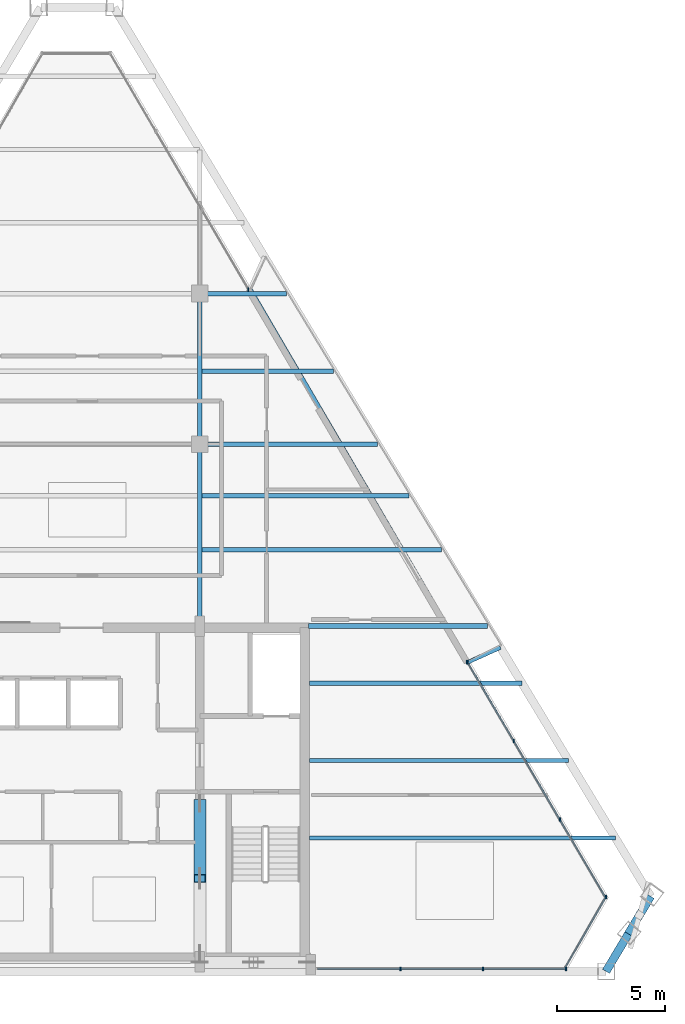
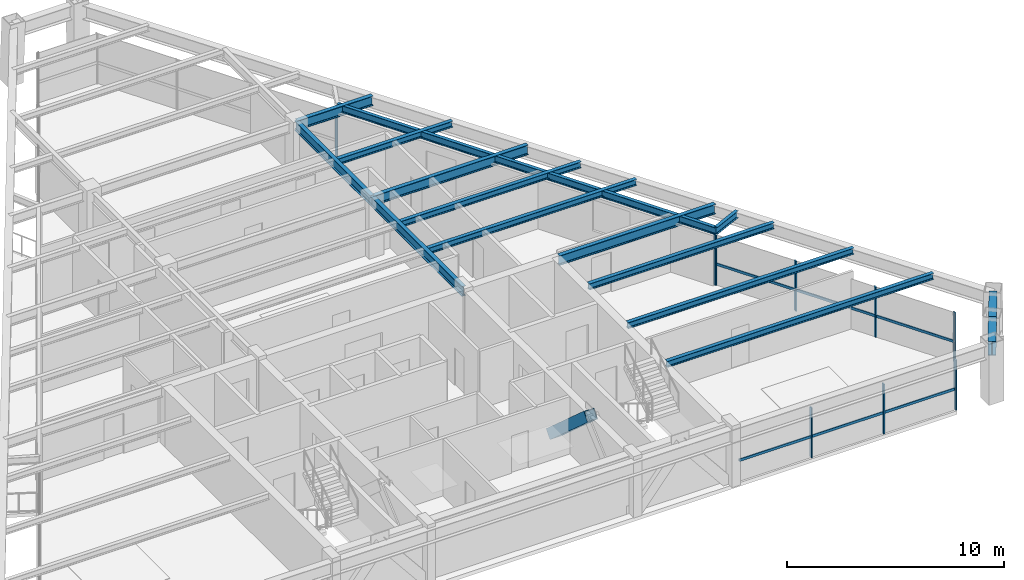
# One storey, part 5 of 13: 17 members, 15 beams, 4 elements without a shape of their own.
"""IFC4 building model written with IfcOpenShell, lengths in metres."""

from ifc_helpers import new_model, si_unit, direction, frame, origin, origin_2d, place, context, subcontext, project, spatial, rectangle, hollow_rectangle, i_section, extrude, source, transform, mapped, material, material_profile, profile_set, type_object, type_shapes, element, aggregate, save


model = new_model("IFC4")

# Units and contexts
model_context = context("Model", 3, precision=1e-05, world=origin(), true_north=direction((0.0, 1.0)))
body_context = subcontext(model_context, "Body", "Model", "MODEL_VIEW")
ifc_project = project(units=[si_unit("LENGTHUNIT", "METRE"), si_unit("AREAUNIT", "SQUARE_METRE"), si_unit("VOLUMEUNIT", "CUBIC_METRE"), si_unit("PLANEANGLEUNIT", "RADIAN"), si_unit("MASSUNIT", "GRAM", prefix="KILO")], contexts=[model_context])

# Site, building, storey
site_placement = place(None, origin())
site = spatial("IfcSite", under=ifc_project, at=site_placement, CompositionType="ELEMENT")
building_placement = place(site_placement, origin())
building = spatial("IfcBuilding", under=site, at=building_placement, Name="Varnakhor Terracotta Tower", CompositionType="ELEMENT")
storey_placement = place(building_placement, frame((0.0, 0.0, 283.35009765625)))
storey = spatial("IfcBuildingStorey", under=building, at=storey_placement, Name="L74", CompositionType="ELEMENT", Elevation=283.35009765625)

# Beams
ifc_material_1 = material(Name="Steel S355", Category="steel")
ifc_material_profile_1 = material_profile(ifc_material_1, i_section(OverallWidth=0.214111328125, OverallDepth=0.549072265625, WebThickness=0.014892578125, FlangeThickness=0.02392578125, FilletRadius=0.01806640625, at=origin_2d()), Name="W21X93")
ifc_profile_set_1 = profile_set([ifc_material_profile_1], Name="Steel S355")
beam_type_1 = type_object("IfcBeamType", Name="BM-W21X93", PredefinedType="BEAM", material=ifc_profile_set_1)
shared_shape_1 = source(origin(), body_context, "Body", "SweptSolid", [
    extrude(i_section(OverallWidth=0.214111328125, OverallDepth=0.549072265625, WebThickness=0.014892578125, FlangeThickness=0.02392578125, FilletRadius=0.01806640625, at=origin_2d()), origin(), (0.0, 0.0, 1.0), 8.449951171875),
])
type_shapes(beam_type_1, [shared_shape_1])
beam_1_placement = place(storey_placement, frame((5.5, 16.050048828125, 2.96533203125), z_axis=(0.0, 1.0, 0.0), x_axis=(-1.0, 0.0, 0.0)))
element("IfcBeam", 1, at=beam_1_placement, inside=storey, type_object=beam_type_1, Name="L74 Primary Girder NS1-E", PredefinedType="BEAM", context=body_context, shape_type="MappedRepresentation", body=[
    mapped(shared_shape_1, transform((0.0, 0.0, 0.0), scale=1.0)),
])
shared_shape_2 = source(origin(), body_context, "Body", "SweptSolid", [
    extrude(i_section(OverallWidth=0.214111328125, OverallDepth=0.549072265625, WebThickness=0.014892578125, FlangeThickness=0.02392578125, FilletRadius=0.01806640625, at=origin_2d()), origin(), (0.0, 0.0, 1.0), 7.0),
])
beam_2_placement = place(storey_placement, frame((5.5, 24.5, 2.96533203125), z_axis=(0.0, 1.0, 0.0), x_axis=(-1.0, 0.0, 0.0)))
element("IfcBeam", 2, at=beam_2_placement, inside=storey, type_object=beam_type_1, Name="L74 Primary Girder NS2-E", PredefinedType="BEAM", context=body_context, shape_type="MappedRepresentation", body=[
    mapped(shared_shape_2, transform((0.0, 0.0, 0.0), scale=1.0)),
])

# Member
ifc_material_profile_2 = material_profile(ifc_material_1, hollow_rectangle(XDim=0.550048828125, YDim=0.550048828125, WallThickness=0.034912109375, at=origin_2d()), Name="HSS550X550X35")
ifc_profile_set_2 = profile_set([ifc_material_profile_2], Name="Steel S355")
member_type_1 = type_object("IfcMemberType", Name="MBR-MEGA-550", PredefinedType="BRACE", material=ifc_profile_set_2)
shared_shape_3 = source(origin(), body_context, "Body", "SweptSolid", [
    extrude(hollow_rectangle(XDim=0.550048828125, YDim=0.550048828125, WallThickness=0.034912109375, at=origin_2d()), origin(), (0.0, 0.0, 1.0), 4.650146484375),
])
member_1_placement = place(storey_placement, frame((5.5, 7.800048828125, 0.0), z_axis=(0.0, -0.747316617832, 0.664468112638), x_axis=(1.0, 0.0, 0.0)))
element("IfcMember", 3, at=member_1_placement, inside=storey, type_object=member_type_1, Name="L74 Core Coupled Brace CWEB", PredefinedType="BRACE", context=body_context, shape_type="MappedRepresentation", body=[
    mapped(shared_shape_3, transform((0.0, 0.0, 0.0), scale=1.0)),
])

# Beams
ifc_material_profile_3 = material_profile(ifc_material_1, i_section(OverallWidth=0.381103515625, OverallDepth=0.77294921875, WebThickness=0.01708984375, FlangeThickness=0.027099609375, FilletRadius=0.01806640625, at=origin_2d()), Name="W30X173")
ifc_profile_set_3 = profile_set([ifc_material_profile_3], Name="Steel S355")
beam_type_2 = type_object("IfcBeamType", Name="BM-W30X173", PredefinedType="BEAM", material=ifc_profile_set_3)
shared_shape_4 = source(origin(), body_context, "Body", "SweptSolid", [
    extrude(i_section(OverallWidth=0.381103515625, OverallDepth=0.77294921875, WebThickness=0.01708984375, FlangeThickness=0.027099609375, FilletRadius=0.01806640625, at=origin_2d()), origin(), (0.0, 0.0, 1.0), 2.0283203125),
])
beam_3_placement = place(storey_placement, frame((24.376953125, 0.0, 2.853515625), z_axis=(0.511536759456, 0.859261394295, 0.0), x_axis=(-0.859261394295, 0.511536759456, 0.0)))
element("IfcBeam", 4, at=beam_3_placement, inside=storey, type_object=beam_type_2, Name="L74 Perimeter Spandrel 2", PredefinedType="BEAM", context=body_context, shape_type="MappedRepresentation", body=[
    mapped(shared_shape_4, transform((0.0, 0.0, 0.0), scale=1.0)),
])
shared_shape_5 = source(origin(), body_context, "Body", "SweptSolid", [
    extrude(i_section(OverallWidth=0.381103515625, OverallDepth=0.77294921875, WebThickness=0.01708984375, FlangeThickness=0.027099609375, FilletRadius=0.01806640625, at=origin_2d()), origin(), (0.0, 0.0, 1.0), 2.028564453125),
])
beam_4_placement = place(storey_placement, frame((25.41455078125, 1.742919921875, 2.853515625), z_axis=(0.511483859768, 0.85929288441, 0.0), x_axis=(-0.85929288441, 0.511483859768, 0.0)))
element("IfcBeam", 5, at=beam_4_placement, inside=storey, type_object=beam_type_2, Name="L74 Perimeter Spandrel 3", PredefinedType="BEAM", context=body_context, shape_type="MappedRepresentation", body=[
    mapped(shared_shape_5, transform((0.0, 0.0, 0.0), scale=1.0)),
])
ifc_material_profile_4 = material_profile(ifc_material_1, i_section(OverallWidth=0.179931640625, OverallDepth=0.39990234375, WebThickness=0.008544921875, FlangeThickness=0.013427734375, FilletRadius=0.01806640625, at=origin_2d()), Name="IPE400")
ifc_profile_set_4 = profile_set([ifc_material_profile_4], Name="Steel S355")
beam_type_3 = type_object("IfcBeamType", Name="JST-IPE400", PredefinedType="JOIST", material=ifc_profile_set_4)
shared_shape_6 = source(origin(), body_context, "Body", "SweptSolid", [
    extrude(i_section(OverallWidth=0.179931640625, OverallDepth=0.39990234375, WebThickness=0.008544921875, FlangeThickness=0.013427734375, FilletRadius=0.01806640625, at=origin_2d()), origin(), (0.0, 0.0, 1.0), 20.096435546875),
])
beam_5_placement = place(storey_placement, frame((17.9638671875, 14.3720703125, 3.039794921875), z_axis=(-0.504292445958, 0.86353293449, 0.0), x_axis=(-0.86353293449, -0.504292445958, 0.0)))
element("IfcBeam", 6, at=beam_5_placement, inside=storey, type_object=beam_type_3, Name="L74 Loggia Edge Beam 1", PredefinedType="JOIST", context=body_context, shape_type="MappedRepresentation", body=[
    mapped(shared_shape_6, transform((0.0, 0.0, 0.0), scale=1.0)),
])
shared_shape_7 = source(origin(), body_context, "Body", "SweptSolid", [
    extrude(i_section(OverallWidth=0.214111328125, OverallDepth=0.549072265625, WebThickness=0.014892578125, FlangeThickness=0.02392578125, FilletRadius=0.01806640625, at=origin_2d()), origin(), (0.0, 0.0, 1.0), 8.315673828125),
])
beam_6_placement = place(storey_placement, frame((10.550048828125, 16.050048828125, 2.96533203125), z_axis=(1.0, 0.0, 0.0), x_axis=(0.0, 1.0, 0.0)))
element("IfcBeam", 7, at=beam_6_placement, inside=storey, type_object=beam_type_1, Name="L74 Wing Girder E", PredefinedType="BEAM", context=body_context, shape_type="MappedRepresentation", body=[
    mapped(shared_shape_7, transform((0.0, 0.0, 0.0), scale=1.0)),
])
shared_shape_8 = source(origin(), body_context, "Body", "SweptSolid", [
    extrude(i_section(OverallWidth=0.214111328125, OverallDepth=0.549072265625, WebThickness=0.014892578125, FlangeThickness=0.02392578125, FilletRadius=0.01806640625, at=origin_2d()), origin(), (0.0, 0.0, 1.0), 8.263427734375),
])
beam_7_placement = place(storey_placement, frame((5.5, 24.5, 2.96533203125), z_axis=(1.0, 0.0, 0.0), x_axis=(0.0, 1.0, 0.0)))
element("IfcBeam", 8, at=beam_7_placement, inside=storey, type_object=beam_type_1, Name="L74 Primary Girder EW2-3", PredefinedType="BEAM", context=body_context, shape_type="MappedRepresentation", body=[
    mapped(shared_shape_8, transform((0.0, 0.0, 0.0), scale=1.0)),
])
shared_shape_9 = source(origin(), body_context, "Body", "SweptSolid", [
    extrude(i_section(OverallWidth=0.214111328125, OverallDepth=0.549072265625, WebThickness=0.014892578125, FlangeThickness=0.02392578125, FilletRadius=0.01806640625, at=origin_2d()), origin(), (0.0, 0.0, 1.0), 4.036865234375),
])
beam_8_placement = place(storey_placement, frame((5.5, 31.5, 2.96533203125), z_axis=(1.0, 0.0, 0.0), x_axis=(0.0, 1.0, 0.0)))
element("IfcBeam", 9, at=beam_8_placement, inside=storey, type_object=beam_type_1, Name="L74 Primary Girder EW3-3", PredefinedType="BEAM", context=body_context, shape_type="MappedRepresentation", body=[
    mapped(shared_shape_9, transform((0.0, 0.0, 0.0), scale=1.0)),
])
ifc_material_profile_5 = material_profile(ifc_material_1, i_section(OverallWidth=0.202880859375, OverallDepth=0.346923828125, WebThickness=0.0078125, FlangeThickness=0.013427734375, FilletRadius=0.01806640625, at=origin_2d()), Name="W14X43")
ifc_profile_set_5 = profile_set([ifc_material_profile_5], Name="Steel S355")
beam_type_4 = type_object("IfcBeamType", Name="JST-W14X43", PredefinedType="JOIST", material=ifc_profile_set_5)
shared_shape_10 = source(origin(), body_context, "Body", "SweptSolid", [
    extrude(i_section(OverallWidth=0.202880859375, OverallDepth=0.346923828125, WebThickness=0.0078125, FlangeThickness=0.013427734375, FilletRadius=0.01806640625, at=origin_2d()), origin(), (0.0, 0.0, 1.0), 14.21337890625),
])
beam_9_placement = place(storey_placement, frame((10.60009765625, 6.199951171875, 3.06640625), z_axis=(1.0, 0.0, 0.0), x_axis=(0.0, 1.0, 0.0)))
element("IfcBeam", 10, at=beam_9_placement, inside=storey, type_object=beam_type_4, Name="L74 Floor Joist E1", PredefinedType="JOIST", context=body_context, shape_type="MappedRepresentation", body=[
    mapped(shared_shape_10, transform((0.0, 0.0, 0.0), scale=1.0)),
])
shared_shape_11 = source(origin(), body_context, "Body", "SweptSolid", [
    extrude(i_section(OverallWidth=0.202880859375, OverallDepth=0.346923828125, WebThickness=0.0078125, FlangeThickness=0.013427734375, FilletRadius=0.01806640625, at=origin_2d()), origin(), (0.0, 0.0, 1.0), 12.03955078125),
])
beam_10_placement = place(storey_placement, frame((10.60009765625, 9.800048828125, 3.06640625), z_axis=(1.0, 0.0, 0.0), x_axis=(0.0, 1.0, 0.0)))
element("IfcBeam", 11, at=beam_10_placement, inside=storey, type_object=beam_type_4, Name="L74 Floor Joist E2", PredefinedType="JOIST", context=body_context, shape_type="MappedRepresentation", body=[
    mapped(shared_shape_11, transform((0.0, 0.0, 0.0), scale=1.0)),
])
shared_shape_12 = source(origin(), body_context, "Body", "SweptSolid", [
    extrude(i_section(OverallWidth=0.202880859375, OverallDepth=0.346923828125, WebThickness=0.0078125, FlangeThickness=0.013427734375, FilletRadius=0.01806640625, at=origin_2d()), origin(), (0.0, 0.0, 1.0), 9.86572265625),
])
beam_11_placement = place(storey_placement, frame((10.60009765625, 13.39990234375, 3.06640625), z_axis=(1.0, 0.0, 0.0), x_axis=(0.0, 1.0, 0.0)))
element("IfcBeam", 12, at=beam_11_placement, inside=storey, type_object=beam_type_4, Name="L74 Floor Joist E3", PredefinedType="JOIST", context=body_context, shape_type="MappedRepresentation", body=[
    mapped(shared_shape_12, transform((0.0, 0.0, 0.0), scale=1.0)),
])
shared_shape_13 = source(origin(), body_context, "Body", "SweptSolid", [
    extrude(i_section(OverallWidth=0.202880859375, OverallDepth=0.346923828125, WebThickness=0.0078125, FlangeThickness=0.013427734375, FilletRadius=0.01806640625, at=origin_2d()), origin(), (0.0, 0.0, 1.0), 11.119140625),
])
beam_12_placement = place(storey_placement, frame((5.60302734375, 19.60009765625, 3.06640625), z_axis=(1.0, 0.0, 0.0), x_axis=(0.0, 1.0, 0.0)))
element("IfcBeam", 13, at=beam_12_placement, inside=storey, type_object=beam_type_4, Name="L74 Composite Floor Joist 4-3", PredefinedType="JOIST", context=body_context, shape_type="MappedRepresentation", body=[
    mapped(shared_shape_13, transform((0.0, 0.0, 0.0), scale=1.0)),
])
shared_shape_14 = source(origin(), body_context, "Body", "SweptSolid", [
    extrude(i_section(OverallWidth=0.202880859375, OverallDepth=0.346923828125, WebThickness=0.0078125, FlangeThickness=0.013427734375, FilletRadius=0.01806640625, at=origin_2d()), origin(), (0.0, 0.0, 1.0), 9.609619140625),
])
beam_13_placement = place(storey_placement, frame((5.60302734375, 22.10009765625, 3.06640625), z_axis=(1.0, 0.0, 0.0), x_axis=(0.0, 1.0, 0.0)))
element("IfcBeam", 14, at=beam_13_placement, inside=storey, type_object=beam_type_4, Name="L74 Composite Floor Joist 5-3", PredefinedType="JOIST", context=body_context, shape_type="MappedRepresentation", body=[
    mapped(shared_shape_14, transform((0.0, 0.0, 0.0), scale=1.0)),
])
shared_shape_15 = source(origin(), body_context, "Body", "SweptSolid", [
    extrude(i_section(OverallWidth=0.202880859375, OverallDepth=0.346923828125, WebThickness=0.0078125, FlangeThickness=0.013427734375, FilletRadius=0.01806640625, at=origin_2d()), origin(), (0.0, 0.0, 1.0), 6.107421875),
])
beam_14_placement = place(storey_placement, frame((5.60302734375, 27.89990234375, 3.06640625), z_axis=(1.0, 0.0, 0.0), x_axis=(0.0, 1.0, 0.0)))
element("IfcBeam", 15, at=beam_14_placement, inside=storey, type_object=beam_type_4, Name="L74 Composite Floor Joist 6-3", PredefinedType="JOIST", context=body_context, shape_type="MappedRepresentation", body=[
    mapped(shared_shape_15, transform((0.0, 0.0, 0.0), scale=1.0)),
])

# Curtain wall, members
ifc_material_2 = material(Name="Anodised Aluminium Curtain Wall System", Category="aluminium")
curtain_wall_type = type_object("IfcCurtainWallType", Name="CW-SYS-HOTEL-LOGGIA", PredefinedType="NOTDEFINED", material=ifc_material_2)
curtain_wall_1_placement = place(storey_placement, origin())
curtain_wall_1 = element("IfcCurtainWall", 16, at=curtain_wall_1_placement, inside=storey, type_object=curtain_wall_type, Name="L74 E Facet Curtain Wall 2", PredefinedType="NOTDEFINED")
ifc_material_3 = material(Name="Anodised Aluminium 6063-T6", Category="aluminium")
ifc_material_profile_6 = material_profile(ifc_material_3, rectangle(XDim=0.06494140625, YDim=0.159912109375, at=origin_2d()), Name="ALU MULLION 65x160")
ifc_profile_set_6 = profile_set([ifc_material_profile_6], Name="Anodised Aluminium 6063-T6")
member_type_2 = type_object("IfcMemberType", Name="CWM-04", PredefinedType="MULLION", material=ifc_profile_set_6)
shared_shape_16 = source(origin(), body_context, "Body", "SweptSolid", [
    extrude(rectangle(XDim=0.06494140625, YDim=0.159912109375, at=origin_2d()), origin(), (0.0, 0.0, 1.0), 2.81982421875),
])
member_2_placement = place(storey_placement, frame((17.942626953125, 14.360107421875, 0.0), z_axis=(0.0, 0.0, 1.0), x_axis=(1.0, 0.0, 0.0)))
member_2 = element("IfcMember", 17, at=member_2_placement, type_object=member_type_2, Name="L74 E Facet Curtain Wall 2 Mullion 1", PredefinedType="MULLION", context=body_context, shape_type="MappedRepresentation", body=[
    mapped(shared_shape_16, transform((0.0, 0.0, 0.0), scale=1.0)),
])
member_3_placement = place(storey_placement, frame((20.08740234375, 10.705322265625, 0.0), z_axis=(0.0, 0.0, 1.0), x_axis=(1.0, 0.0, 0.0)))
member_3 = element("IfcMember", 18, at=member_3_placement, type_object=member_type_2, Name="L74 E Facet Curtain Wall 2 Mullion 2", PredefinedType="MULLION", context=body_context, shape_type="MappedRepresentation", body=[
    mapped(shared_shape_16, transform((0.0, 0.0, 0.0), scale=1.0)),
])
member_4_placement = place(storey_placement, frame((22.232177734375, 7.050537109375, 0.0), z_axis=(0.0, 0.0, 1.0), x_axis=(1.0, 0.0, 0.0)))
member_4 = element("IfcMember", 19, at=member_4_placement, type_object=member_type_2, Name="L74 E Facet Curtain Wall 2 Mullion 3", PredefinedType="MULLION", context=body_context, shape_type="MappedRepresentation", body=[
    mapped(shared_shape_16, transform((0.0, 0.0, 0.0), scale=1.0)),
])

# Curtain wall, member
curtain_wall_2_placement = place(storey_placement, origin())
curtain_wall_2 = element("IfcCurtainWall", 20, at=curtain_wall_2_placement, inside=storey, type_object=curtain_wall_type, Name="L74 E Facet Curtain Wall 1", PredefinedType="NOTDEFINED")
member_5_placement = place(storey_placement, frame((7.751708984375, 31.686279296875, 0.0), z_axis=(0.0, 0.0, 1.0), x_axis=(1.0, 0.0, 0.0)))
member_5 = element("IfcMember", 21, at=member_5_placement, type_object=member_type_2, Name="L74 E Loggia Jamb Closure Mullion 1", PredefinedType="MULLION", context=body_context, shape_type="MappedRepresentation", body=[
    mapped(shared_shape_16, transform((0.0, 0.0, 0.0), scale=1.0)),
])
aggregate(curtain_wall_2, [member_5])

# Member
member_6_placement = place(storey_placement, frame((17.910400390625, 14.375732421875, 0.0), z_axis=(0.0, 0.0, 1.0), x_axis=(1.0, 0.0, 0.0)))
member_6 = element("IfcMember", 22, at=member_6_placement, type_object=member_type_2, Name="L74 E Loggia Jamb Closure Mullion 2", PredefinedType="MULLION", context=body_context, shape_type="MappedRepresentation", body=[
    mapped(shared_shape_16, transform((0.0, 0.0, 0.0), scale=1.0)),
])

# Curtain wall, member
curtain_wall_3_placement = place(storey_placement, origin())
curtain_wall_3 = element("IfcCurtainWall", 23, at=curtain_wall_3_placement, inside=storey, type_object=curtain_wall_type, Name="L74 Facet Curtain Wall 4", PredefinedType="NOTDEFINED")
member_7_placement = place(storey_placement, frame((24.376708984375, 3.464599609375, 0.0), z_axis=(0.0, 0.0, 1.0), x_axis=(1.0, 0.0, 0.0)))
member_7 = element("IfcMember", 24, at=member_7_placement, type_object=member_type_2, Name="L74 Facet Curtain Wall 4 Mullion 1", PredefinedType="MULLION", context=body_context, shape_type="MappedRepresentation", body=[
    mapped(shared_shape_16, transform((0.0, 0.0, 0.0), scale=1.0)),
])

# Curtain wall, members
curtain_wall_4_placement = place(storey_placement, origin())
curtain_wall_4 = element("IfcCurtainWall", 25, at=curtain_wall_4_placement, inside=storey, type_object=curtain_wall_type, Name="L74 South Wing Curtain Wall SSE", PredefinedType="NOTDEFINED")
member_8_placement = place(storey_placement, frame((22.510009765625, 0.1201171875, 0.0), z_axis=(0.0, 0.0, 1.0), x_axis=(1.0, 0.0, 0.0)))
member_8 = element("IfcMember", 26, at=member_8_placement, type_object=member_type_2, Name="L74 South Wing Curtain Wall SSE Mullion 1", PredefinedType="MULLION", context=body_context, shape_type="MappedRepresentation", body=[
    mapped(shared_shape_16, transform((0.0, 0.0, 0.0), scale=1.0)),
])
member_9_placement = place(storey_placement, frame((18.663330078125, 0.1201171875, 0.0), z_axis=(0.0, 0.0, 1.0), x_axis=(1.0, 0.0, 0.0)))
member_9 = element("IfcMember", 27, at=member_9_placement, type_object=member_type_2, Name="L74 South Wing Curtain Wall SSE Mullion 2", PredefinedType="MULLION", context=body_context, shape_type="MappedRepresentation", body=[
    mapped(shared_shape_16, transform((0.0, 0.0, 0.0), scale=1.0)),
])
member_10_placement = place(storey_placement, frame((14.816650390625, 0.1201171875, 0.0), z_axis=(0.0, 0.0, 1.0), x_axis=(1.0, 0.0, 0.0)))
member_10 = element("IfcMember", 28, at=member_10_placement, type_object=member_type_2, Name="L74 South Wing Curtain Wall SSE Mullion 3", PredefinedType="MULLION", context=body_context, shape_type="MappedRepresentation", body=[
    mapped(shared_shape_16, transform((0.0, 0.0, 0.0), scale=1.0)),
])

# Member
ifc_material_profile_7 = material_profile(ifc_material_3, rectangle(XDim=0.06494140625, YDim=0.14501953125, at=origin_2d()), Name="ALU TRANSOM 65x145")
ifc_profile_set_7 = profile_set([ifc_material_profile_7], Name="Anodised Aluminium 6063-T6")
member_type_3 = type_object("IfcMemberType", Name="CWT-04", PredefinedType="USERDEFINED", material=ifc_profile_set_7)
shared_shape_17 = source(origin(), body_context, "Body", "SweptSolid", [
    extrude(rectangle(XDim=0.06494140625, YDim=0.14501953125, at=origin_2d()), origin(), (0.0, 0.0, 1.0), 3.89892578125),
])
member_11_placement = place(storey_placement, frame((24.376708984375, 3.464599609375, 1.184326171875), z_axis=(-0.499062772978, -0.866565836291, 0.0), x_axis=(0.866565836291, -0.499062772978, 0.0)))
member_11 = element("IfcMember", 29, at=member_11_placement, type_object=member_type_3, Name="L74 Facet Curtain Wall 4 Transom 1", ObjectType="TRANSOM", PredefinedType="USERDEFINED", context=body_context, shape_type="MappedRepresentation", body=[
    mapped(shared_shape_17, transform((0.0, 0.0, 0.0), scale=1.0)),
])

aggregate(curtain_wall_3, [member_7, member_11])

shared_shape_18 = source(origin(), body_context, "Body", "SweptSolid", [
    extrude(rectangle(XDim=0.06494140625, YDim=0.14501953125, at=origin_2d()), origin(), (0.0, 0.0, 1.0), 4.237548828125),
])
member_12_placement = place(storey_placement, frame((17.942626953125, 14.360107421875, 1.184326171875), z_axis=(0.506126045223, -0.86245952157, 0.0), x_axis=(0.86245952157, 0.506126045223, 0.0)))
member_12 = element("IfcMember", 30, at=member_12_placement, type_object=member_type_3, Name="L74 E Facet Curtain Wall 2 Transom 1", ObjectType="TRANSOM", PredefinedType="USERDEFINED", context=body_context, shape_type="MappedRepresentation", body=[
    mapped(shared_shape_18, transform((0.0, 0.0, 0.0), scale=1.0)),
])

member_13_placement = place(storey_placement, frame((20.08740234375, 10.705322265625, 1.184326171875), z_axis=(0.506126045223, -0.86245952157, 0.0), x_axis=(0.86245952157, 0.506126045223, 0.0)))
member_13 = element("IfcMember", 31, at=member_13_placement, type_object=member_type_3, Name="L74 E Facet Curtain Wall 2 Transom 2", ObjectType="TRANSOM", PredefinedType="USERDEFINED", context=body_context, shape_type="MappedRepresentation", body=[
    mapped(shared_shape_18, transform((0.0, 0.0, 0.0), scale=1.0)),
])

shared_shape_19 = source(origin(), body_context, "Body", "SweptSolid", [
    extrude(rectangle(XDim=0.06494140625, YDim=0.14501953125, at=origin_2d()), origin(), (0.0, 0.0, 1.0), 4.2373046875),
])
member_14_placement = place(storey_placement, frame((22.232177734375, 7.050537109375, 1.184326171875), z_axis=(0.506151194888, -0.862444762239, 0.0), x_axis=(0.862444762239, 0.506151194888, 0.0)))
member_14 = element("IfcMember", 32, at=member_14_placement, type_object=member_type_3, Name="L74 E Facet Curtain Wall 2 Transom 3", ObjectType="TRANSOM", PredefinedType="USERDEFINED", context=body_context, shape_type="MappedRepresentation", body=[
    mapped(shared_shape_19, transform((0.0, 0.0, 0.0), scale=1.0)),
])

aggregate(curtain_wall_1, [member_2, member_12, member_3, member_13, member_4, member_14, member_6])

shared_shape_20 = source(origin(), body_context, "Body", "SweptSolid", [
    extrude(rectangle(XDim=0.06494140625, YDim=0.14501953125, at=origin_2d()), origin(), (0.0, 0.0, 1.0), 3.8466796875),
])
member_15_placement = place(storey_placement, frame((22.510009765625, 0.1201171875, 1.184326171875), z_axis=(-1.0, 0.0, 0.0), x_axis=(0.0, -1.0, 0.0)))
member_15 = element("IfcMember", 33, at=member_15_placement, type_object=member_type_3, Name="L74 South Wing Curtain Wall SSE Transom 1", ObjectType="TRANSOM", PredefinedType="USERDEFINED", context=body_context, shape_type="MappedRepresentation", body=[
    mapped(shared_shape_20, transform((0.0, 0.0, 0.0), scale=1.0)),
])

member_16_placement = place(storey_placement, frame((18.663330078125, 0.1201171875, 1.184326171875), z_axis=(-1.0, 0.0, 0.0), x_axis=(0.0, -1.0, 0.0)))
member_16 = element("IfcMember", 34, at=member_16_placement, type_object=member_type_3, Name="L74 South Wing Curtain Wall SSE Transom 2", ObjectType="TRANSOM", PredefinedType="USERDEFINED", context=body_context, shape_type="MappedRepresentation", body=[
    mapped(shared_shape_20, transform((0.0, 0.0, 0.0), scale=1.0)),
])

member_17_placement = place(storey_placement, frame((14.816650390625, 0.1201171875, 1.184326171875), z_axis=(-1.0, 0.0, 0.0), x_axis=(0.0, -1.0, 0.0)))
member_17 = element("IfcMember", 35, at=member_17_placement, type_object=member_type_3, Name="L74 South Wing Curtain Wall SSE Transom 3", ObjectType="TRANSOM", PredefinedType="USERDEFINED", context=body_context, shape_type="MappedRepresentation", body=[
    mapped(shared_shape_20, transform((0.0, 0.0, 0.0), scale=1.0)),
])

aggregate(curtain_wall_4, [member_8, member_15, member_9, member_16, member_10, member_17])

# Beam
shared_shape_21 = source(origin(), body_context, "Body", "SweptSolid", [
    extrude(i_section(OverallWidth=0.179931640625, OverallDepth=0.39990234375, WebThickness=0.008544921875, FlangeThickness=0.013427734375, FilletRadius=0.01806640625, at=origin_2d()), origin(), (0.0, 0.0, 1.0), 1.651123046875),
])
beam_15_placement = place(storey_placement, frame((17.9638671875, 14.3720703125, 3.039794921875), z_axis=(0.911411745546, 0.411495601534, 0.0), x_axis=(-0.411495601534, 0.911411745546, 0.0)))
element("IfcBeam", 36, at=beam_15_placement, inside=storey, type_object=beam_type_3, Name="L75 E Loggia Tie Beam 2", PredefinedType="JOIST", context=body_context, shape_type="MappedRepresentation", body=[
    mapped(shared_shape_21, transform((0.0, 0.0, 0.0), scale=1.0)),
])

save(model, "model.ifc")
